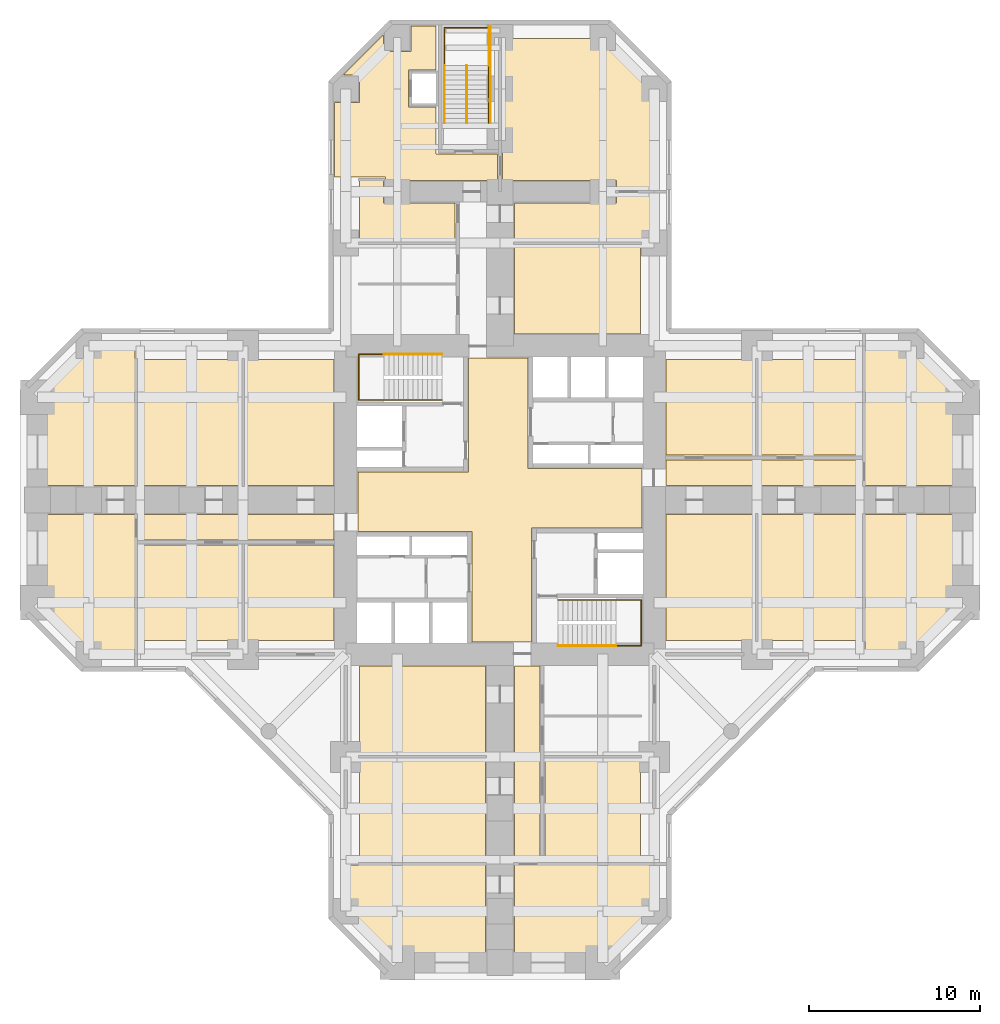
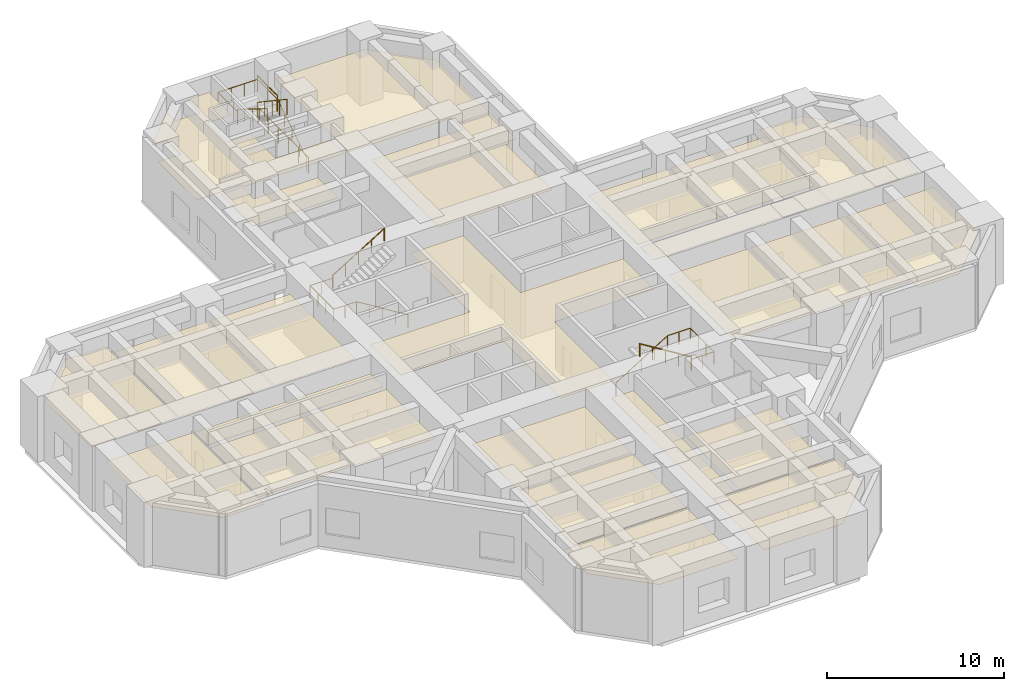
# One storey, part 8 of 8: 26 coverings, 9 railings.
"""IFC4 building model written with IfcOpenShell, lengths in metres."""

from ifc_helpers import new_model, si_unit, direction, frame, origin, origin_2d, place, context, subcontext, project, spatial, polyline, circle, outline, extrude, material, layer, layer_set, type_object, element, save


model = new_model("IFC4")

# Units and contexts
model_context = context("Model", 3, precision=1e-05, world=origin(), true_north=direction((0.0, 1.0)))
body_context = subcontext(model_context, "Body", "Model", "MODEL_VIEW")
ifc_project = project(units=[si_unit("LENGTHUNIT", "METRE"), si_unit("AREAUNIT", "SQUARE_METRE"), si_unit("VOLUMEUNIT", "CUBIC_METRE"), si_unit("PLANEANGLEUNIT", "RADIAN"), si_unit("MASSUNIT", "GRAM", prefix="KILO")], contexts=[model_context])

# Site, building, storey
site_placement = place(None, origin())
site = spatial("IfcSite", under=ifc_project, at=site_placement, CompositionType="ELEMENT")
building_placement = place(site_placement, origin())
building = spatial("IfcBuilding", under=site, at=building_placement, Name="Torre Cruceta", CompositionType="ELEMENT")
storey_placement = place(building_placement, frame((0.0, 0.0, 9.5)))
storey = spatial("IfcBuildingStorey", under=building, at=storey_placement, Name="L02", CompositionType="ELEMENT", Elevation=9.5)

# Railings
ifc_material_1 = material(Name="Stainless steel 1.4401", Category="steel")
railing_type_1 = type_object("IfcRailingType", Name="HANDRAIL 900", PredefinedType="HANDRAIL", material=ifc_material_1)
railing_1_placement = place(storey_placement, frame((-3.39990234375, 5.8349609375, 0.173095703125)))
element("IfcRailing", 1, at=railing_1_placement, inside=storey, type_object=railing_type_1, Name="Handrail HR1 ST1 L02", PredefinedType="HANDRAIL", context=body_context, shape_type="SweptSolid", body=[
    extrude(circle(Radius=0.02392578125, at=origin_2d()), frame((0.0, 0.0, 0.8759765625), z_axis=(-0.850623216509, 0.0, 0.525775754039), x_axis=(0.0, -1.0, 0.0)), (0.0, 0.0, 1.0), 3.9501953125),
    extrude(circle(Radius=0.02392578125, at=origin_2d()), frame((-3.360107421875, 0.0, 2.95263671875), z_axis=(-1.0, 0.0, 0.0), x_axis=(0.0, -1.0, 0.0)), (0.0, 0.0, 1.0), 1.47998046875),
    extrude(circle(Radius=0.02392578125, at=origin_2d()), frame((-4.840087890625, 0.0, 2.95263671875), z_axis=(0.0, 1.0, 0.0), x_axis=(-1.0, 0.0, 0.0)), (0.0, 0.0, 1.0), 2.679931640625),
    extrude(circle(Radius=0.02392578125, at=origin_2d()), frame((-4.840087890625, 2.679931640625, 2.95263671875), z_axis=(1.0, 0.0, 0.0), x_axis=(0.0, 1.0, 0.0)), (0.0, 0.0, 1.0), 1.47998046875),
    extrude(circle(Radius=0.02099609375, at=origin_2d()), origin(), (0.0, 0.0, 1.0), 0.851806640625),
    extrude(circle(Radius=0.02099609375, at=origin_2d()), frame((-0.840087890625, 0.0, 0.519287109375)), (0.0, 0.0, 1.0), 0.851806640625),
    extrude(circle(Radius=0.02099609375, at=origin_2d()), frame((-1.68017578125, 0.0, 1.03857421875)), (0.0, 0.0, 1.0), 0.851806640625),
    extrude(circle(Radius=0.02099609375, at=origin_2d()), frame((-2.52001953125, 0.0, 1.5576171875)), (0.0, 0.0, 1.0), 0.851806640625),
    extrude(circle(Radius=0.02099609375, at=origin_2d()), frame((-3.360107421875, 0.0, 2.076904296875)), (0.0, 0.0, 1.0), 0.851806640625),
    extrude(circle(Radius=0.02099609375, at=origin_2d()), frame((-4.10009765625, 0.0, 2.076904296875)), (0.0, 0.0, 1.0), 0.851806640625),
    extrude(circle(Radius=0.02099609375, at=origin_2d()), frame((-4.840087890625, 0.0, 2.076904296875)), (0.0, 0.0, 1.0), 0.851806640625),
    extrude(circle(Radius=0.02099609375, at=origin_2d()), frame((-4.840087890625, 0.893310546875, 2.076904296875)), (0.0, 0.0, 1.0), 0.851806640625),
    extrude(circle(Radius=0.02099609375, at=origin_2d()), frame((-4.840087890625, 1.78662109375, 2.076904296875)), (0.0, 0.0, 1.0), 0.851806640625),
    extrude(circle(Radius=0.02099609375, at=origin_2d()), frame((-4.840087890625, 2.679931640625, 2.076904296875)), (0.0, 0.0, 1.0), 0.851806640625),
    extrude(circle(Radius=0.02099609375, at=origin_2d()), frame((-4.10009765625, 2.679931640625, 2.076904296875)), (0.0, 0.0, 1.0), 0.851806640625),
    extrude(circle(Radius=0.02099609375, at=origin_2d()), frame((-3.360107421875, 2.679931640625, 2.076904296875)), (0.0, 0.0, 1.0), 0.851806640625),
])
railing_2_placement = place(storey_placement, frame((-6.760009765625, 8.514892578125, 2.423095703125)))
element("IfcRailing", 2, at=railing_2_placement, inside=storey, type_object=railing_type_1, Name="Handrail HR1 ST1 L02", PredefinedType="HANDRAIL", context=body_context, shape_type="SweptSolid", body=[
    extrude(circle(Radius=0.02392578125, at=origin_2d()), frame((0.0, 0.0, 0.8759765625), z_axis=(0.850623216509, 0.0, 0.525775754039), x_axis=(0.0, 1.0, 0.0)), (0.0, 0.0, 1.0), 3.9501953125),
    extrude(circle(Radius=0.02099609375, at=origin_2d()), origin(), (0.0, 0.0, 1.0), 0.851806640625),
    extrude(circle(Radius=0.02099609375, at=origin_2d()), frame((0.840087890625, 0.0, 0.519287109375)), (0.0, 0.0, 1.0), 0.851806640625),
    extrude(circle(Radius=0.02099609375, at=origin_2d()), frame((1.68017578125, 0.0, 1.03857421875)), (0.0, 0.0, 1.0), 0.851806640625),
    extrude(circle(Radius=0.02099609375, at=origin_2d()), frame((2.52001953125, 0.0, 1.5576171875)), (0.0, 0.0, 1.0), 0.851806640625),
    extrude(circle(Radius=0.02099609375, at=origin_2d()), frame((3.360107421875, 0.0, 2.076904296875)), (0.0, 0.0, 1.0), 0.851806640625),
])
railing_3_placement = place(storey_placement, frame((3.39990234375, -5.8349609375, 0.173095703125)))
element("IfcRailing", 3, at=railing_3_placement, inside=storey, type_object=railing_type_1, Name="Handrail HR1 ST2 L02", PredefinedType="HANDRAIL", context=body_context, shape_type="SweptSolid", body=[
    extrude(circle(Radius=0.02392578125, at=origin_2d()), frame((0.0, 0.0, 0.8759765625), z_axis=(0.850623216509, 0.0, 0.525775754039), x_axis=(0.0, 1.0, 0.0)), (0.0, 0.0, 1.0), 3.9501953125),
    extrude(circle(Radius=0.02392578125, at=origin_2d()), frame((3.360107421875, 0.0, 2.95263671875), z_axis=(1.0, 0.0, 0.0), x_axis=(0.0, 1.0, 0.0)), (0.0, 0.0, 1.0), 1.47998046875),
    extrude(circle(Radius=0.02392578125, at=origin_2d()), frame((4.840087890625, 0.0, 2.95263671875), z_axis=(0.0, -1.0, 0.0), x_axis=(1.0, 0.0, 0.0)), (0.0, 0.0, 1.0), 2.679931640625),
    extrude(circle(Radius=0.02392578125, at=origin_2d()), frame((4.840087890625, -2.679931640625, 2.95263671875), z_axis=(-1.0, 0.0, 0.0), x_axis=(0.0, -1.0, 0.0)), (0.0, 0.0, 1.0), 1.47998046875),
    extrude(circle(Radius=0.02099609375, at=origin_2d()), origin(), (0.0, 0.0, 1.0), 0.851806640625),
    extrude(circle(Radius=0.02099609375, at=origin_2d()), frame((0.840087890625, 0.0, 0.519287109375)), (0.0, 0.0, 1.0), 0.851806640625),
    extrude(circle(Radius=0.02099609375, at=origin_2d()), frame((1.68017578125, 0.0, 1.03857421875)), (0.0, 0.0, 1.0), 0.851806640625),
    extrude(circle(Radius=0.02099609375, at=origin_2d()), frame((2.52001953125, 0.0, 1.5576171875)), (0.0, 0.0, 1.0), 0.851806640625),
    extrude(circle(Radius=0.02099609375, at=origin_2d()), frame((3.360107421875, 0.0, 2.076904296875)), (0.0, 0.0, 1.0), 0.851806640625),
    extrude(circle(Radius=0.02099609375, at=origin_2d()), frame((4.10009765625, 0.0, 2.076904296875)), (0.0, 0.0, 1.0), 0.851806640625),
    extrude(circle(Radius=0.02099609375, at=origin_2d()), frame((4.840087890625, 0.0, 2.076904296875)), (0.0, 0.0, 1.0), 0.851806640625),
    extrude(circle(Radius=0.02099609375, at=origin_2d()), frame((4.840087890625, -0.893310546875, 2.076904296875)), (0.0, 0.0, 1.0), 0.851806640625),
    extrude(circle(Radius=0.02099609375, at=origin_2d()), frame((4.840087890625, -1.78662109375, 2.076904296875)), (0.0, 0.0, 1.0), 0.851806640625),
    extrude(circle(Radius=0.02099609375, at=origin_2d()), frame((4.840087890625, -2.679931640625, 2.076904296875)), (0.0, 0.0, 1.0), 0.851806640625),
    extrude(circle(Radius=0.02099609375, at=origin_2d()), frame((4.10009765625, -2.679931640625, 2.076904296875)), (0.0, 0.0, 1.0), 0.851806640625),
    extrude(circle(Radius=0.02099609375, at=origin_2d()), frame((3.360107421875, -2.679931640625, 2.076904296875)), (0.0, 0.0, 1.0), 0.851806640625),
])
railing_4_placement = place(storey_placement, frame((6.760009765625, -8.514892578125, 2.423095703125)))
element("IfcRailing", 4, at=railing_4_placement, inside=storey, type_object=railing_type_1, Name="Handrail HR1 ST2 L02", PredefinedType="HANDRAIL", context=body_context, shape_type="SweptSolid", body=[
    extrude(circle(Radius=0.02392578125, at=origin_2d()), frame((0.0, 0.0, 0.8759765625), z_axis=(-0.850623216509, 0.0, 0.525775754039), x_axis=(0.0, -1.0, 0.0)), (0.0, 0.0, 1.0), 3.9501953125),
    extrude(circle(Radius=0.02099609375, at=origin_2d()), origin(), (0.0, 0.0, 1.0), 0.851806640625),
    extrude(circle(Radius=0.02099609375, at=origin_2d()), frame((-0.840087890625, 0.0, 0.519287109375)), (0.0, 0.0, 1.0), 0.851806640625),
    extrude(circle(Radius=0.02099609375, at=origin_2d()), frame((-1.68017578125, 0.0, 1.03857421875)), (0.0, 0.0, 1.0), 0.851806640625),
    extrude(circle(Radius=0.02099609375, at=origin_2d()), frame((-2.52001953125, 0.0, 1.5576171875)), (0.0, 0.0, 1.0), 0.851806640625),
    extrude(circle(Radius=0.02099609375, at=origin_2d()), frame((-3.360107421875, 0.0, 2.076904296875)), (0.0, 0.0, 1.0), 0.851806640625),
])
railing_5_placement = place(storey_placement, frame((-0.659912109375, 22.0, 0.173095703125)))
element("IfcRailing", 5, at=railing_5_placement, inside=storey, type_object=railing_type_1, Name="Handrail HR1 ST3 L02", PredefinedType="HANDRAIL", context=body_context, shape_type="SweptSolid", body=[
    extrude(circle(Radius=0.02392578125, at=origin_2d()), frame((0.0, 0.0, 0.8759765625), z_axis=(0.0, 0.850623216509, 0.525775754039), x_axis=(-1.0, 0.0, 0.0)), (0.0, 0.0, 1.0), 3.9501953125),
    extrude(circle(Radius=0.02392578125, at=origin_2d()), frame((0.0, 3.360107421875, 2.95263671875), z_axis=(0.0, 1.0, 0.0), x_axis=(-1.0, 0.0, 0.0)), (0.0, 0.0, 1.0), 2.199951171875),
    extrude(circle(Radius=0.02392578125, at=origin_2d()), frame((0.0, 5.56005859375, 2.95263671875), z_axis=(-1.0, 0.0, 0.0), x_axis=(0.0, -1.0, 0.0)), (0.0, 0.0, 1.0), 2.580078125),
    extrude(circle(Radius=0.02392578125, at=origin_2d()), frame((-2.580078125, 5.56005859375, 2.95263671875), z_axis=(0.0, -1.0, 0.0), x_axis=(1.0, 0.0, 0.0)), (0.0, 0.0, 1.0), 2.199951171875),
    extrude(circle(Radius=0.02099609375, at=origin_2d()), origin(), (0.0, 0.0, 1.0), 0.851806640625),
    extrude(circle(Radius=0.02099609375, at=origin_2d()), frame((0.0, 0.840087890625, 0.519287109375)), (0.0, 0.0, 1.0), 0.851806640625),
    extrude(circle(Radius=0.02099609375, at=origin_2d()), frame((0.0, 1.68017578125, 1.03857421875)), (0.0, 0.0, 1.0), 0.851806640625),
    extrude(circle(Radius=0.02099609375, at=origin_2d()), frame((0.0, 2.52001953125, 1.5576171875)), (0.0, 0.0, 1.0), 0.851806640625),
    extrude(circle(Radius=0.02099609375, at=origin_2d()), frame((0.0, 3.360107421875, 2.076904296875)), (0.0, 0.0, 1.0), 0.851806640625),
    extrude(circle(Radius=0.02099609375, at=origin_2d()), frame((0.0, 4.4599609375, 2.076904296875)), (0.0, 0.0, 1.0), 0.851806640625),
    extrude(circle(Radius=0.02099609375, at=origin_2d()), frame((0.0, 5.56005859375, 2.076904296875)), (0.0, 0.0, 1.0), 0.851806640625),
    extrude(circle(Radius=0.02099609375, at=origin_2d()), frame((-0.860107421875, 5.56005859375, 2.076904296875)), (0.0, 0.0, 1.0), 0.851806640625),
    extrude(circle(Radius=0.02099609375, at=origin_2d()), frame((-1.719970703125, 5.56005859375, 2.076904296875)), (0.0, 0.0, 1.0), 0.851806640625),
    extrude(circle(Radius=0.02099609375, at=origin_2d()), frame((-2.580078125, 5.56005859375, 2.076904296875)), (0.0, 0.0, 1.0), 0.851806640625),
    extrude(circle(Radius=0.02099609375, at=origin_2d()), frame((-2.580078125, 4.4599609375, 2.076904296875)), (0.0, 0.0, 1.0), 0.851806640625),
    extrude(circle(Radius=0.02099609375, at=origin_2d()), frame((-2.580078125, 3.360107421875, 2.076904296875)), (0.0, 0.0, 1.0), 0.851806640625),
])
railing_6_placement = place(storey_placement, frame((-3.239990234375, 25.360107421875, 2.423095703125)))
element("IfcRailing", 6, at=railing_6_placement, inside=storey, type_object=railing_type_1, Name="Handrail HR1 ST3 L02", PredefinedType="HANDRAIL", context=body_context, shape_type="SweptSolid", body=[
    extrude(circle(Radius=0.02392578125, at=origin_2d()), frame((0.0, 0.0, 0.8759765625), z_axis=(0.0, -0.850623216509, 0.525775754039), x_axis=(1.0, 0.0, 0.0)), (0.0, 0.0, 1.0), 3.9501953125),
    extrude(circle(Radius=0.02099609375, at=origin_2d()), origin(), (0.0, 0.0, 1.0), 0.851806640625),
    extrude(circle(Radius=0.02099609375, at=origin_2d()), frame((0.0, -0.840087890625, 0.519287109375)), (0.0, 0.0, 1.0), 0.851806640625),
    extrude(circle(Radius=0.02099609375, at=origin_2d()), frame((0.0, -1.68017578125, 1.03857421875)), (0.0, 0.0, 1.0), 0.851806640625),
    extrude(circle(Radius=0.02099609375, at=origin_2d()), frame((0.0, -2.52001953125, 1.5576171875)), (0.0, 0.0, 1.0), 0.851806640625),
    extrude(circle(Radius=0.02099609375, at=origin_2d()), frame((0.0, -3.360107421875, 2.076904296875)), (0.0, 0.0, 1.0), 0.851806640625),
])
ifc_material_2 = material(Name="Steel S275", Category="steel")
railing_type_2 = type_object("IfcRailingType", Name="STAIR GUARD 1100", PredefinedType="GUARDRAIL", material=ifc_material_2)
railing_7_placement = place(storey_placement, frame((-1.949951171875, 25.360107421875, 2.25)))
element("IfcRailing", 7, at=railing_7_placement, inside=storey, type_object=railing_type_2, Name="Stair guard GR2 ST3 L02", PredefinedType="GUARDRAIL", context=body_context, shape_type="SweptSolid", body=[
    extrude(circle(Radius=0.02392578125, at=origin_2d()), frame((0.0, 0.0, 1.076171875), z_axis=(0.0, -0.830915400975, 0.556398774641), x_axis=(1.0, 0.0, 0.0)), (0.0, 0.0, 1.0), 4.0439453125),
    extrude(circle(Radius=0.02099609375, at=origin_2d()), origin(), (0.0, 0.0, 1.0), 1.052001953125),
    extrude(circle(Radius=0.02099609375, at=origin_2d()), frame((0.0, -0.840087890625, 0.5625)), (0.0, 0.0, 1.0), 1.052001953125),
    extrude(circle(Radius=0.02099609375, at=origin_2d()), frame((0.0, -1.68017578125, 1.125)), (0.0, 0.0, 1.0), 1.052001953125),
    extrude(circle(Radius=0.02099609375, at=origin_2d()), frame((0.0, -2.52001953125, 1.6875)), (0.0, 0.0, 1.0), 1.052001953125),
    extrude(circle(Radius=0.02099609375, at=origin_2d()), frame((0.0, -3.360107421875, 2.25)), (0.0, 0.0, 1.0), 1.052001953125),
])
railing_8_placement = place(storey_placement, frame((-0.6298828125, 25.360107421875, 2.25)))
element("IfcRailing", 8, at=railing_8_placement, inside=storey, type_object=railing_type_2, Name="Stair guard GR2 ST3 landing L02", PredefinedType="GUARDRAIL", context=body_context, shape_type="SweptSolid", body=[
    extrude(circle(Radius=0.02392578125, at=origin_2d()), frame((0.0, 0.0, 1.076171875), z_axis=(0.0, 1.0, 0.0), x_axis=(-1.0, 0.0, 0.0)), (0.0, 0.0, 1.0), 2.260009765625),
    extrude(circle(Radius=0.02099609375, at=origin_2d()), origin(), (0.0, 0.0, 1.0), 1.052001953125),
    extrude(circle(Radius=0.02099609375, at=origin_2d()), frame((0.0, 1.1298828125, 0.0)), (0.0, 0.0, 1.0), 1.052001953125),
    extrude(circle(Radius=0.02099609375, at=origin_2d()), frame((0.0, 2.260009765625, 0.0)), (0.0, 0.0, 1.0), 1.052001953125),
])
railing_9_placement = place(storey_placement, frame((-0.550048828125, 22.0, 0.0)))
element("IfcRailing", 9, at=railing_9_placement, inside=storey, type_object=railing_type_2, Name="Stair guard GR2 ST3 well L02", PredefinedType="GUARDRAIL", context=body_context, shape_type="SweptSolid", body=[
    extrude(circle(Radius=0.02392578125, at=origin_2d()), frame((0.0, 0.0, 1.076171875), z_axis=(0.0, 1.0, 0.0), x_axis=(-1.0, 0.0, 0.0)), (0.0, 0.0, 1.0), 5.669921875),
    extrude(circle(Radius=0.02099609375, at=origin_2d()), origin(), (0.0, 0.0, 1.0), 1.052001953125),
    extrude(circle(Radius=0.02099609375, at=origin_2d()), frame((0.0, 1.134033203125, 0.0)), (0.0, 0.0, 1.0), 1.052001953125),
    extrude(circle(Radius=0.02099609375, at=origin_2d()), frame((0.0, 2.26806640625, 0.0)), (0.0, 0.0, 1.0), 1.052001953125),
    extrude(circle(Radius=0.02099609375, at=origin_2d()), frame((0.0, 3.40185546875, 0.0)), (0.0, 0.0, 1.0), 1.052001953125),
    extrude(circle(Radius=0.02099609375, at=origin_2d()), frame((0.0, 4.535888671875, 0.0)), (0.0, 0.0, 1.0), 1.052001953125),
    extrude(circle(Radius=0.02099609375, at=origin_2d()), frame((0.0, 5.669921875, 0.0)), (0.0, 0.0, 1.0), 1.052001953125),
])

# Coverings
ifc_material_3 = material(Name="Mineral fibre ceiling tile", Category="gypsum")
ifc_layer = layer(ifc_material_3, 0.02001953125)
ifc_layer_set = layer_set([ifc_layer], Name="Mineral fibre ceiling tile")
covering_type = type_object("IfcCoveringType", Name="SUSPENDED CEILING 20", PredefinedType="CEILING", material=ifc_layer_set)
covering_1_placement = place(storey_placement, frame((0.0, 0.0, 3.22998046875)))
element("IfcCovering", 10, at=covering_1_placement, inside=storey, type_object=covering_type, Name="Ceiling L02-001", PredefinedType="CEILING", context=body_context, shape_type="SweptSolid", body=[
    extrude(outline(polyline([(-1.625, -8.300048828125), (-1.625, -1.824951171875), (-8.300048828125, -1.824951171875), (-8.300048828125, 1.625), (-1.824951171875, 1.625), (-1.824951171875, 8.300048828125), (1.625, 8.300048828125), (1.625, 1.824951171875), (8.300048828125, 1.824951171875), (8.300048828125, -1.625), (1.824951171875, -1.625), (1.824951171875, -8.300048828125), (-1.625, -8.300048828125)])), origin(), (0.0, 0.0, 1.0), 0.02001953125),
])
covering_2_placement = place(storey_placement, frame((0.0, 0.0, 3.22998046875)))
element("IfcCovering", 11, at=covering_2_placement, inside=storey, type_object=covering_type, Name="Ceiling L02-024", PredefinedType="CEILING", context=body_context, shape_type="SweptSolid", body=[
    extrude(outline(polyline([(8.199951171875, 9.699951171875), (0.85009765625, 9.699951171875), (0.85009765625, 14.949951171875), (8.199951171875, 14.949951171875), (8.199951171875, 9.699951171875)])), origin(), (0.0, 0.0, 1.0), 0.02001953125),
])
covering_3_placement = place(storey_placement, frame((0.0, 0.0, 3.22998046875)))
element("IfcCovering", 12, at=covering_3_placement, inside=storey, type_object=covering_type, Name="Ceiling L02-028", PredefinedType="CEILING", context=body_context, shape_type="SweptSolid", body=[
    extrude(outline(polyline([(-2.625, 15.050048828125), (-8.199951171875, 15.050048828125), (-8.199951171875, 18.64990234375), (-6.800048828125, 18.64990234375), (-6.800048828125, 17.35009765625), (-2.625, 17.35009765625), (-2.625, 15.050048828125)])), origin(), (0.0, 0.0, 1.0), 0.02001953125),
])
covering_4_placement = place(storey_placement, frame((0.0, 0.0, 3.22998046875)))
element("IfcCovering", 13, at=covering_4_placement, inside=storey, type_object=covering_type, Name="Ceiling L02-031", PredefinedType="CEILING", context=body_context, shape_type="SweptSolid", body=[
    extrude(outline(polyline([(-9.669921875, 23.195068359375), (-8.195068359375, 23.195068359375), (-8.195068359375, 24.804931640625), (-9.142578125, 24.804931640625), (-6.804931640625, 27.142578125), (-6.804931640625, 26.195068359375), (-5.195068359375, 26.195068359375), (-5.195068359375, 27.669921875), (-3.75, 27.669921875), (-3.75, 25.10009765625), (-5.35009765625, 25.10009765625), (-5.35009765625, 22.949951171875), (-3.75, 22.949951171875), (-3.75, 20.199951171875), (-0.14990234375, 20.199951171875), (-0.14990234375, 18.64990234375), (-6.68994140625, 18.64990234375), (-6.68994140625, 18.85009765625), (-9.669921875, 18.85009765625), (-9.669921875, 23.195068359375)])), origin(), (0.0, 0.0, 1.0), 0.02001953125),
])
covering_5_placement = place(storey_placement, frame((0.0, 0.0, 3.22998046875)))
element("IfcCovering", 14, at=covering_5_placement, inside=storey, type_object=covering_type, Name="Ceiling L02-032", PredefinedType="CEILING", context=body_context, shape_type="SweptSolid", body=[
    extrude(outline(polyline([(6.800048828125, 18.050048828125), (6.800048828125, 18.64990234375), (0.14990234375, 18.64990234375), (0.14990234375, 26.949951171875), (5.979248046875, 26.949951171875), (8.949951171875, 23.979248046875), (8.949951171875, 18.050048828125), (6.800048828125, 18.050048828125)])), origin(), (0.0, 0.0, 1.0), 0.02001953125),
])
covering_6_placement = place(storey_placement, frame((0.0, 0.0, 3.22998046875)))
element("IfcCovering", 15, at=covering_6_placement, inside=storey, type_object=covering_type, Name="Ceiling L02-033", PredefinedType="CEILING", context=body_context, shape_type="SweptSolid", body=[
    extrude(outline(polyline([(0.85009765625, 15.050048828125), (0.85009765625, 17.35009765625), (6.800048828125, 17.35009765625), (6.800048828125, 17.949951171875), (8.949951171875, 17.949951171875), (8.949951171875, 15.050048828125), (0.85009765625, 15.050048828125)])), origin(), (0.0, 0.0, 1.0), 0.02001953125),
])
covering_7_placement = place(storey_placement, frame((0.0, 0.0, 3.22998046875)))
element("IfcCovering", 16, at=covering_7_placement, inside=storey, type_object=covering_type, Name="Ceiling L02-034", PredefinedType="CEILING", context=body_context, shape_type="SweptSolid", body=[
    extrude(outline(polyline([(9.699951171875, 0.85009765625), (9.699951171875, 2.324951171875), (21.199951171875, 2.324951171875), (21.199951171875, 0.85009765625), (9.699951171875, 0.85009765625)])), origin(), (0.0, 0.0, 1.0), 0.02001953125),
])
covering_8_placement = place(storey_placement, frame((0.0, 0.0, 3.22998046875)))
element("IfcCovering", 17, at=covering_8_placement, inside=storey, type_object=covering_type, Name="Ceiling L02-035", PredefinedType="CEILING", context=body_context, shape_type="SweptSolid", body=[
    extrude(outline(polyline([(9.699951171875, 2.625), (9.699951171875, 8.199951171875), (14.949951171875, 8.199951171875), (14.949951171875, 2.625), (9.699951171875, 2.625)])), origin(), (0.0, 0.0, 1.0), 0.02001953125),
])
covering_9_placement = place(storey_placement, frame((0.0, 0.0, 3.22998046875)))
element("IfcCovering", 18, at=covering_9_placement, inside=storey, type_object=covering_type, Name="Ceiling L02-036", PredefinedType="CEILING", context=body_context, shape_type="SweptSolid", body=[
    extrude(outline(polyline([(9.699951171875, -8.199951171875), (9.699951171875, -0.85009765625), (14.949951171875, -0.85009765625), (14.949951171875, -8.199951171875), (9.699951171875, -8.199951171875)])), origin(), (0.0, 0.0, 1.0), 0.02001953125),
])
covering_10_placement = place(storey_placement, frame((0.0, 0.0, 3.22998046875)))
element("IfcCovering", 19, at=covering_10_placement, inside=storey, type_object=covering_type, Name="Ceiling L02-037", PredefinedType="CEILING", context=body_context, shape_type="SweptSolid", body=[
    extrude(outline(polyline([(15.050048828125, 2.625), (15.050048828125, 8.199951171875), (21.199951171875, 8.199951171875), (21.199951171875, 2.625), (15.050048828125, 2.625)])), origin(), (0.0, 0.0, 1.0), 0.02001953125),
])
covering_11_placement = place(storey_placement, frame((0.0, 0.0, 3.22998046875)))
element("IfcCovering", 20, at=covering_11_placement, inside=storey, type_object=covering_type, Name="Ceiling L02-038", PredefinedType="CEILING", context=body_context, shape_type="SweptSolid", body=[
    extrude(outline(polyline([(15.050048828125, -8.199951171875), (15.050048828125, -0.85009765625), (21.199951171875, -0.85009765625), (21.199951171875, -8.199951171875), (15.050048828125, -8.199951171875)])), origin(), (0.0, 0.0, 1.0), 0.02001953125),
])
covering_12_placement = place(storey_placement, frame((0.0, 0.0, 3.22998046875)))
element("IfcCovering", 21, at=covering_12_placement, inside=storey, type_object=covering_type, Name="Ceiling L02-039", PredefinedType="CEILING", context=body_context, shape_type="SweptSolid", body=[
    extrude(outline(polyline([(21.300048828125, 8.949951171875), (23.979248046875, 8.949951171875), (26.949951171875, 5.979248046875), (26.949951171875, 0.85009765625), (21.300048828125, 0.85009765625), (21.300048828125, 8.949951171875)])), origin(), (0.0, 0.0, 1.0), 0.02001953125),
])
covering_13_placement = place(storey_placement, frame((0.0, 0.0, 3.22998046875)))
element("IfcCovering", 22, at=covering_13_placement, inside=storey, type_object=covering_type, Name="Ceiling L02-040", PredefinedType="CEILING", context=body_context, shape_type="SweptSolid", body=[
    extrude(outline(polyline([(26.949951171875, -5.979248046875), (23.979248046875, -8.949951171875), (21.300048828125, -8.949951171875), (21.300048828125, -0.85009765625), (26.949951171875, -0.85009765625), (26.949951171875, -5.979248046875)])), origin(), (0.0, 0.0, 1.0), 0.02001953125),
])
covering_14_placement = place(storey_placement, frame((0.0, 0.0, 3.22998046875)))
element("IfcCovering", 23, at=covering_14_placement, inside=storey, type_object=covering_type, Name="Ceiling L02-041", PredefinedType="CEILING", context=body_context, shape_type="SweptSolid", body=[
    extrude(outline(polyline([(0.85009765625, -9.699951171875), (2.324951171875, -9.699951171875), (2.324951171875, -21.199951171875), (0.85009765625, -21.199951171875), (0.85009765625, -9.699951171875)])), origin(), (0.0, 0.0, 1.0), 0.02001953125),
])
covering_15_placement = place(storey_placement, frame((0.0, 0.0, 3.22998046875)))
element("IfcCovering", 24, at=covering_15_placement, inside=storey, type_object=covering_type, Name="Ceiling L02-042", PredefinedType="CEILING", context=body_context, shape_type="SweptSolid", body=[
    extrude(outline(polyline([(-8.199951171875, -9.699951171875), (-0.85009765625, -9.699951171875), (-0.85009765625, -14.949951171875), (-8.199951171875, -14.949951171875), (-8.199951171875, -9.699951171875)])), origin(), (0.0, 0.0, 1.0), 0.02001953125),
])
covering_16_placement = place(storey_placement, frame((0.0, 0.0, 3.22998046875)))
element("IfcCovering", 25, at=covering_16_placement, inside=storey, type_object=covering_type, Name="Ceiling L02-043", PredefinedType="CEILING", context=body_context, shape_type="SweptSolid", body=[
    extrude(outline(polyline([(2.625, -15.050048828125), (8.199951171875, -15.050048828125), (8.199951171875, -21.199951171875), (2.625, -21.199951171875), (2.625, -15.050048828125)])), origin(), (0.0, 0.0, 1.0), 0.02001953125),
])
covering_17_placement = place(storey_placement, frame((0.0, 0.0, 3.22998046875)))
element("IfcCovering", 26, at=covering_17_placement, inside=storey, type_object=covering_type, Name="Ceiling L02-044", PredefinedType="CEILING", context=body_context, shape_type="SweptSolid", body=[
    extrude(outline(polyline([(-8.199951171875, -15.050048828125), (-0.85009765625, -15.050048828125), (-0.85009765625, -21.199951171875), (-8.199951171875, -21.199951171875), (-8.199951171875, -15.050048828125)])), origin(), (0.0, 0.0, 1.0), 0.02001953125),
])
covering_18_placement = place(storey_placement, frame((0.0, 0.0, 3.22998046875)))
element("IfcCovering", 27, at=covering_18_placement, inside=storey, type_object=covering_type, Name="Ceiling L02-045", PredefinedType="CEILING", context=body_context, shape_type="SweptSolid", body=[
    extrude(outline(polyline([(8.949951171875, -21.300048828125), (8.949951171875, -23.979248046875), (5.979248046875, -26.949951171875), (0.85009765625, -26.949951171875), (0.85009765625, -21.300048828125), (8.949951171875, -21.300048828125)])), origin(), (0.0, 0.0, 1.0), 0.02001953125),
])
covering_19_placement = place(storey_placement, frame((0.0, 0.0, 3.22998046875)))
element("IfcCovering", 28, at=covering_19_placement, inside=storey, type_object=covering_type, Name="Ceiling L02-046", PredefinedType="CEILING", context=body_context, shape_type="SweptSolid", body=[
    extrude(outline(polyline([(-5.979248046875, -26.949951171875), (-8.949951171875, -23.979248046875), (-8.949951171875, -21.300048828125), (-0.85009765625, -21.300048828125), (-0.85009765625, -26.949951171875), (-5.979248046875, -26.949951171875)])), origin(), (0.0, 0.0, 1.0), 0.02001953125),
])
covering_20_placement = place(storey_placement, frame((0.0, 0.0, 3.22998046875)))
element("IfcCovering", 29, at=covering_20_placement, inside=storey, type_object=covering_type, Name="Ceiling L02-049", PredefinedType="CEILING", context=body_context, shape_type="SweptSolid", body=[
    extrude(outline(polyline([(-9.699951171875, -0.85009765625), (-9.699951171875, -2.324951171875), (-21.199951171875, -2.324951171875), (-21.199951171875, -0.85009765625), (-9.699951171875, -0.85009765625)])), origin(), (0.0, 0.0, 1.0), 0.02001953125),
])
covering_21_placement = place(storey_placement, frame((0.0, 0.0, 3.22998046875)))
element("IfcCovering", 30, at=covering_21_placement, inside=storey, type_object=covering_type, Name="Ceiling L02-050", PredefinedType="CEILING", context=body_context, shape_type="SweptSolid", body=[
    extrude(outline(polyline([(-9.699951171875, -2.625), (-9.699951171875, -8.199951171875), (-14.949951171875, -8.199951171875), (-14.949951171875, -2.625), (-9.699951171875, -2.625)])), origin(), (0.0, 0.0, 1.0), 0.02001953125),
])
covering_22_placement = place(storey_placement, frame((0.0, 0.0, 3.22998046875)))
element("IfcCovering", 31, at=covering_22_placement, inside=storey, type_object=covering_type, Name="Ceiling L02-051", PredefinedType="CEILING", context=body_context, shape_type="SweptSolid", body=[
    extrude(outline(polyline([(-9.699951171875, 8.199951171875), (-9.699951171875, 0.85009765625), (-14.949951171875, 0.85009765625), (-14.949951171875, 8.199951171875), (-9.699951171875, 8.199951171875)])), origin(), (0.0, 0.0, 1.0), 0.02001953125),
])
covering_23_placement = place(storey_placement, frame((0.0, 0.0, 3.22998046875)))
element("IfcCovering", 32, at=covering_23_placement, inside=storey, type_object=covering_type, Name="Ceiling L02-052", PredefinedType="CEILING", context=body_context, shape_type="SweptSolid", body=[
    extrude(outline(polyline([(-15.050048828125, -2.625), (-15.050048828125, -8.199951171875), (-21.199951171875, -8.199951171875), (-21.199951171875, -2.625), (-15.050048828125, -2.625)])), origin(), (0.0, 0.0, 1.0), 0.02001953125),
])
covering_24_placement = place(storey_placement, frame((0.0, 0.0, 3.22998046875)))
element("IfcCovering", 33, at=covering_24_placement, inside=storey, type_object=covering_type, Name="Ceiling L02-053", PredefinedType="CEILING", context=body_context, shape_type="SweptSolid", body=[
    extrude(outline(polyline([(-15.050048828125, 8.199951171875), (-15.050048828125, 0.85009765625), (-21.199951171875, 0.85009765625), (-21.199951171875, 8.199951171875), (-15.050048828125, 8.199951171875)])), origin(), (0.0, 0.0, 1.0), 0.02001953125),
])
covering_25_placement = place(storey_placement, frame((0.0, 0.0, 3.22998046875)))
element("IfcCovering", 34, at=covering_25_placement, inside=storey, type_object=covering_type, Name="Ceiling L02-054", PredefinedType="CEILING", context=body_context, shape_type="SweptSolid", body=[
    extrude(outline(polyline([(-21.300048828125, -8.949951171875), (-23.979248046875, -8.949951171875), (-26.949951171875, -5.979248046875), (-26.949951171875, -0.85009765625), (-21.300048828125, -0.85009765625), (-21.300048828125, -8.949951171875)])), origin(), (0.0, 0.0, 1.0), 0.02001953125),
])
covering_26_placement = place(storey_placement, frame((0.0, 0.0, 3.22998046875)))
element("IfcCovering", 35, at=covering_26_placement, inside=storey, type_object=covering_type, Name="Ceiling L02-055", PredefinedType="CEILING", context=body_context, shape_type="SweptSolid", body=[
    extrude(outline(polyline([(-26.949951171875, 5.979248046875), (-23.979248046875, 8.949951171875), (-21.300048828125, 8.949951171875), (-21.300048828125, 0.85009765625), (-26.949951171875, 0.85009765625), (-26.949951171875, 5.979248046875)])), origin(), (0.0, 0.0, 1.0), 0.02001953125),
])

save(model, "model.ifc")
